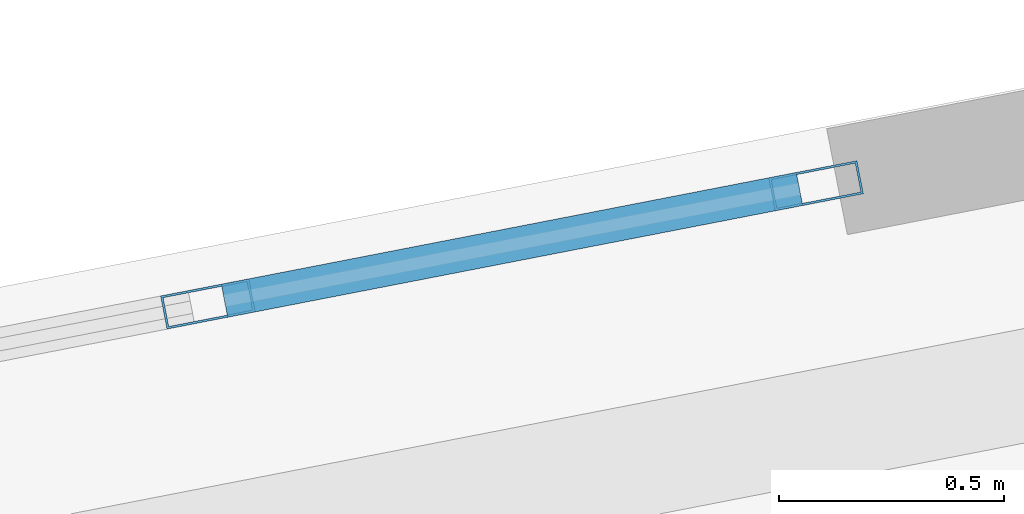
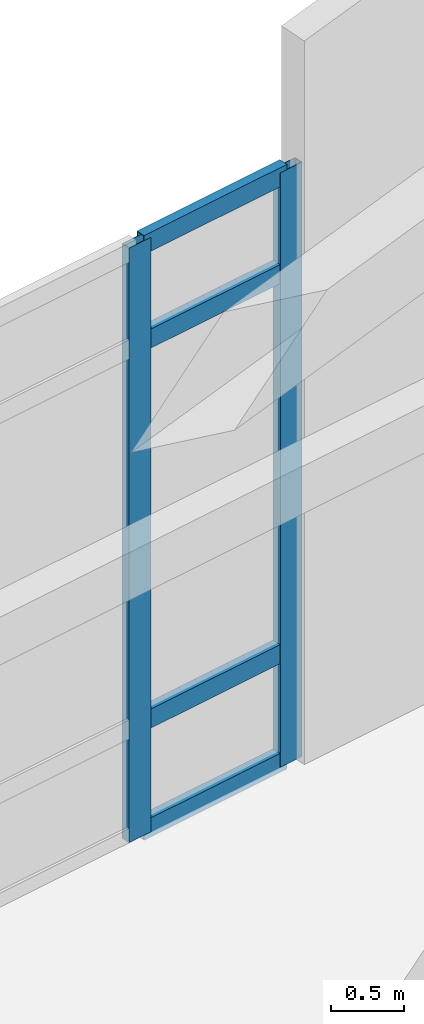
# One storey, part 12 of 56: 6 members, 1 element without a shape of its own.
"""IFC4 building model written with IfcOpenShell, lengths in metres."""

from ifc_helpers import new_model, si_unit, direction, frame, origin, origin_2d, place, context, subcontext, project, spatial, hollow_rectangle, extrude, material, material_profile, profile_set, type_object, element, aggregate, save


model = new_model("IFC4")

# Units and contexts
model_context = context("Model", 3, precision=1e-05, world=origin(), true_north=direction((0.0, 1.0)))
body_context = subcontext(model_context, "Body", "Model", "MODEL_VIEW")
ifc_project = project(units=[si_unit("LENGTHUNIT", "METRE"), si_unit("AREAUNIT", "SQUARE_METRE"), si_unit("VOLUMEUNIT", "CUBIC_METRE"), si_unit("PLANEANGLEUNIT", "RADIAN"), si_unit("MASSUNIT", "GRAM", prefix="KILO")], contexts=[model_context])

# Site, building, storey
site_placement = place(None, origin())
site = spatial("IfcSite", under=ifc_project, at=site_placement, CompositionType="ELEMENT")
building_placement = place(site_placement, origin())
building = spatial("IfcBuilding", under=site, at=building_placement, Name="Kestramere Prow Commons", CompositionType="ELEMENT")
storey_placement = place(building_placement, frame((0.0, 0.0, 27.89990234375)))
storey = spatial("IfcBuildingStorey", under=building, at=storey_placement, Name="L08", CompositionType="ELEMENT", Elevation=27.89990234375)

# Curtain wall, members
ifc_material_1 = material(Name="Anodised Aluminium and Low-E Glass", Category="aluminium")
curtain_wall_type = type_object("IfcCurtainWallType", Name="CW-10 Glazed Curtain Wall 2830x4990", PredefinedType="USERDEFINED", material=ifc_material_1)
curtain_wall_placement = place(storey_placement, origin())
curtain_wall = element("IfcCurtainWall", 1, at=curtain_wall_placement, inside=storey, type_object=curtain_wall_type, Name="Block D L08 Stairwell Vertical Glazing 5", ObjectType="GLAZED CURTAIN WALL", PredefinedType="USERDEFINED")
ifc_material_2 = material(Name="Anodised Aluminium 6063-T6", Category="aluminium")
ifc_material_profile_1 = material_profile(ifc_material_2, hollow_rectangle(XDim=0.074951171875, YDim=0.199951171875, WallThickness=0.0048828125, at=origin_2d()), Name="ALU-MUL 75x200")
ifc_profile_set_1 = profile_set([ifc_material_profile_1], Name="Anodised Aluminium 6063-T6")
member_type_1 = type_object("IfcMemberType", Name="CW-MUL-75x200", PredefinedType="MULLION", material=ifc_profile_set_1)
member_1_placement = place(storey_placement, frame((148.131591796875, 60.281005859375, 0.0), z_axis=(0.0, 0.0, 1.0), x_axis=(-0.190808835118, 0.981627214599, 0.0)))
member_1 = element("IfcMember", 2, at=member_1_placement, type_object=member_type_1, Name="CW-10 mullion 2", PredefinedType="MULLION", context=body_context, shape_type="SweptSolid", body=[
    extrude(hollow_rectangle(XDim=0.074951171875, YDim=0.199951171875, WallThickness=0.0048828125, at=origin_2d()), origin(), (0.0, 0.0, 1.0), 4.98681640625),
])
member_2_placement = place(storey_placement, frame((149.48388671875, 60.543701171875, 0.0), z_axis=(0.0, 0.0, 1.0), x_axis=(-0.190808835118, 0.981627214599, 0.0)))
member_2 = element("IfcMember", 3, at=member_2_placement, type_object=member_type_1, Name="CW-10 mullion 3", PredefinedType="MULLION", context=body_context, shape_type="SweptSolid", body=[
    extrude(hollow_rectangle(XDim=0.074951171875, YDim=0.199951171875, WallThickness=0.0048828125, at=origin_2d()), origin(), (0.0, 0.0, 1.0), 4.98681640625),
])
ifc_material_profile_2 = material_profile(ifc_material_2, hollow_rectangle(XDim=0.074951171875, YDim=0.159912109375, WallThickness=0.0048828125, at=origin_2d()), Name="ALU-TRN 75x160")
ifc_profile_set_2 = profile_set([ifc_material_profile_2], Name="Anodised Aluminium 6063-T6")
member_type_2 = type_object("IfcMemberType", Name="CW-TRN-75x160", PredefinedType="USERDEFINED", material=ifc_profile_set_2)
member_3_placement = place(storey_placement, frame((148.16845703125, 60.2880859375, 0.03759765625), z_axis=(0.981626118914, 0.190814471845, 0.0), x_axis=(-0.190814471845, 0.981626118914, 0.0)))
member_3 = element("IfcMember", 4, at=member_3_placement, type_object=member_type_2, Name="CW-10 transom 2.1", ObjectType="TRANSOM", PredefinedType="USERDEFINED", context=body_context, shape_type="SweptSolid", body=[
    extrude(hollow_rectangle(XDim=0.074951171875, YDim=0.159912109375, WallThickness=0.0048828125, at=origin_2d()), origin(), (0.0, 0.0, 1.0), 1.302490234375),
])
member_4_placement = place(storey_placement, frame((148.16845703125, 60.2880859375, 0.9501953125), z_axis=(0.981626118914, 0.190814471845, 0.0), x_axis=(-0.190814471845, 0.981626118914, 0.0)))
member_4 = element("IfcMember", 5, at=member_4_placement, type_object=member_type_2, Name="CW-10 transom 2.2", ObjectType="TRANSOM", PredefinedType="USERDEFINED", context=body_context, shape_type="SweptSolid", body=[
    extrude(hollow_rectangle(XDim=0.074951171875, YDim=0.159912109375, WallThickness=0.0048828125, at=origin_2d()), origin(), (0.0, 0.0, 1.0), 1.302490234375),
])
member_5_placement = place(storey_placement, frame((148.16845703125, 60.2880859375, 4.13720703125), z_axis=(0.981626118914, 0.190814471845, 0.0), x_axis=(-0.190814471845, 0.981626118914, 0.0)))
member_5 = element("IfcMember", 6, at=member_5_placement, type_object=member_type_2, Name="CW-10 transom 2.3", ObjectType="TRANSOM", PredefinedType="USERDEFINED", context=body_context, shape_type="SweptSolid", body=[
    extrude(hollow_rectangle(XDim=0.074951171875, YDim=0.159912109375, WallThickness=0.0048828125, at=origin_2d()), origin(), (0.0, 0.0, 1.0), 1.302490234375),
])
member_6_placement = place(storey_placement, frame((148.16845703125, 60.2880859375, 4.94921875), z_axis=(0.981626118914, 0.190814471845, 0.0), x_axis=(-0.190814471845, 0.981626118914, 0.0)))
member_6 = element("IfcMember", 7, at=member_6_placement, type_object=member_type_2, Name="CW-10 transom 2.4", ObjectType="TRANSOM", PredefinedType="USERDEFINED", context=body_context, shape_type="SweptSolid", body=[
    extrude(hollow_rectangle(XDim=0.074951171875, YDim=0.159912109375, WallThickness=0.0048828125, at=origin_2d()), origin(), (0.0, 0.0, 1.0), 1.302490234375),
])
aggregate(curtain_wall, [member_1, member_2, member_3, member_4, member_5, member_6])

save(model, "model.ifc")
